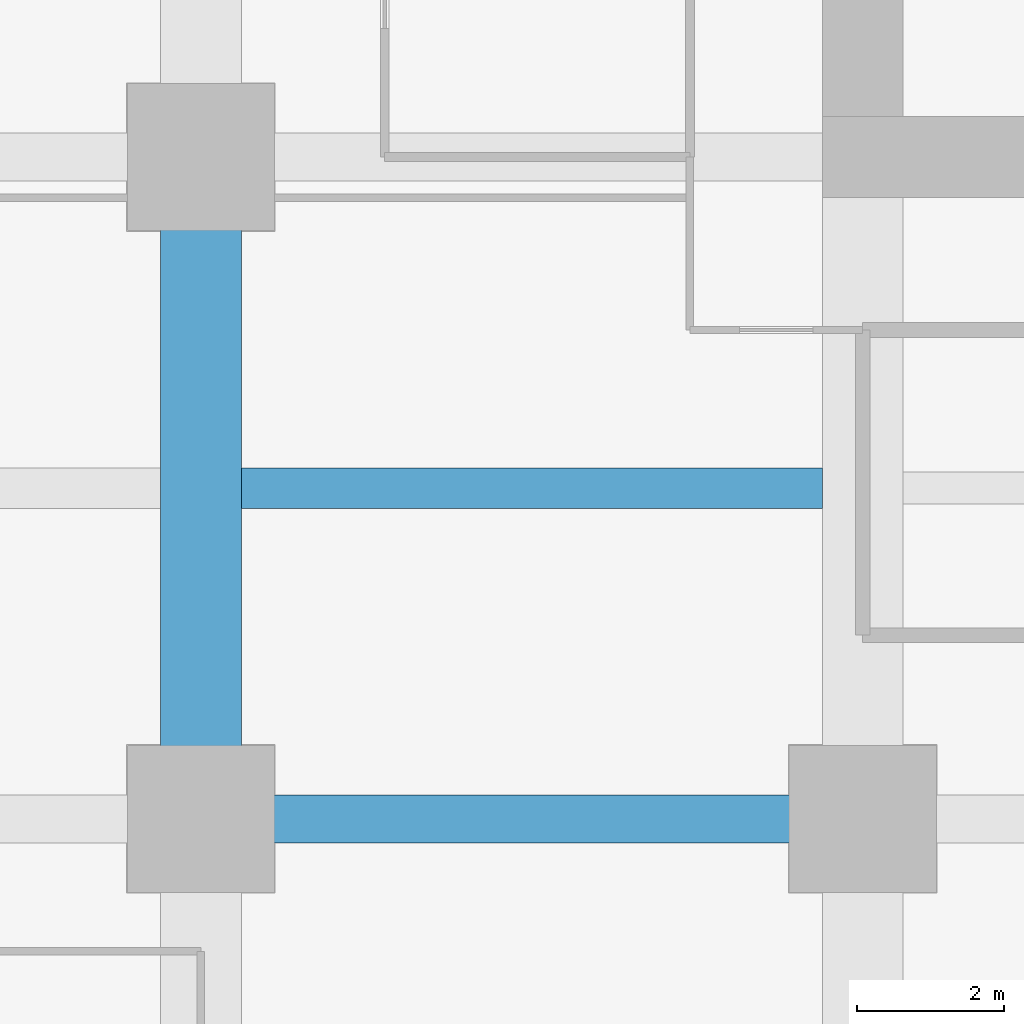
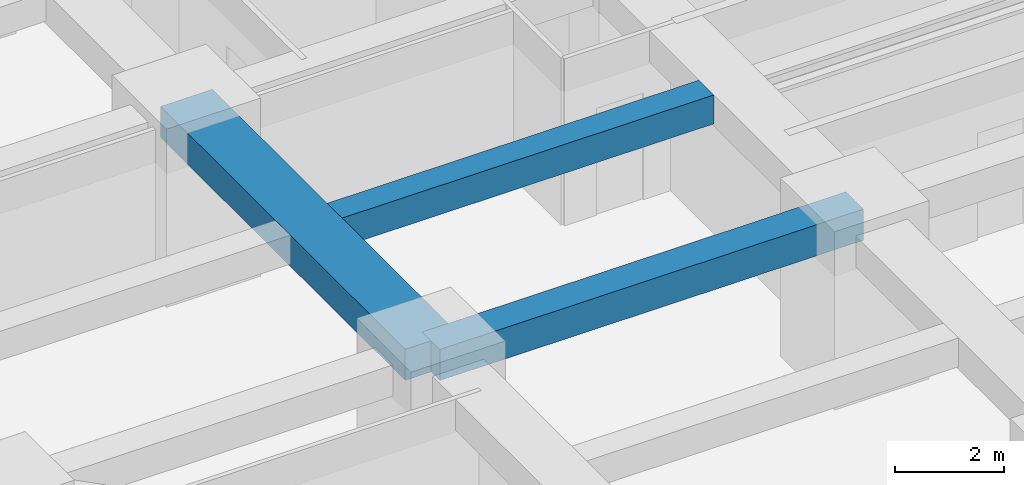
# One storey, part 5 of 40: 3 beams.
"""IFC4 building model written with IfcOpenShell, lengths in metres."""

import ifcopenshell
import ifcopenshell.guid

model = None  # the IFC model being written
_history = None  # IfcOwnerHistory: only IFC2X3 demands one
_inside = {}  # id of a spatial element -> (the spatial element, [elements in it])
_under = {}  # id of a project, library or spatial element -> (it, [spatial elements below it])
_declared = {}  # id of a project -> (the project, [libraries it declares])
_typed = {}  # id of a type object -> (the type object, [elements of that type])
_made_of = {}  # id of a material, layer set ... -> (it, [elements and type objects made of it])


def new_model(schema):
    """Start an empty IFC model of exactly this schema.

    Asked for "IFC4X3", IfcOpenShell would pick the latest addendum, in which some entities
    have other attributes; the version numbers below select the first issue.
    IFC2X3 requires an IfcOwnerHistory on every rooted entity: one is made here for all.
    """
    global model, _history
    if schema == "IFC4X3":
        model = ifcopenshell.file(schema_version=(4, 3, 0, 0))
    else:
        model = ifcopenshell.file(schema=schema)
    _inside.clear()
    _under.clear()
    _declared.clear()
    _typed.clear()
    _made_of.clear()
    _history = None
    if model.schema == "IFC2X3":
        org = make("IfcOrganization", Name="unknown")
        user = make(
            "IfcPersonAndOrganization",
            ThePerson=make("IfcPerson", FamilyName="unknown"),
            TheOrganization=org,
        )
        app = make(
            "IfcApplication",
            ApplicationDeveloper=org,
            Version="unknown",
            ApplicationFullName="unknown",
            ApplicationIdentifier="unknown",
        )
        _history = make(
            "IfcOwnerHistory",
            OwningUser=user,
            OwningApplication=app,
            ChangeAction="ADDED",
            CreationDate=0,
        )
    return model


def make(cls, **values):
    """One entity of the class cls with the attributes given. An attribute that is None is left unset."""
    return model.create_entity(
        cls, **{name: value for name, value in values.items() if value is not None}
    )


def rooted(cls, **values):
    """An entity with a GlobalId (a new one), such as an element, a storey or a relation."""
    return make(cls, GlobalId=ifcopenshell.guid.new(), OwnerHistory=_history, **values)


def si_unit(unit_type, name, prefix=None):
    """IfcSIUnit, for example si_unit("LENGTHUNIT", "METRE", prefix="MILLI")."""
    return make("IfcSIUnit", UnitType=unit_type, Prefix=prefix, Name=name)


def assignment(units):
    """IfcUnitAssignment: the units of a project."""
    return None if units is None else make("IfcUnitAssignment", Units=units)


def point(xyz):
    """IfcCartesianPoint."""
    return None if xyz is None else make("IfcCartesianPoint", Coordinates=xyz)


def direction(xyz):
    """IfcDirection."""
    return None if xyz is None else make("IfcDirection", DirectionRatios=xyz)


def frame(location, z_axis=None, x_axis=None):
    """IfcAxis2Placement3D, a coordinate frame: its origin and axes. An axis left out is left unset."""
    return make(
        "IfcAxis2Placement3D",
        Location=point(location),
        Axis=direction(z_axis),
        RefDirection=direction(x_axis),
    )


def frame_2d(location, x_axis=None):
    """IfcAxis2Placement2D, a coordinate frame in the plane: its origin and x axis."""
    return make(
        "IfcAxis2Placement2D", Location=point(location), RefDirection=direction(x_axis)
    )


def origin():
    """The frame at (0, 0, 0) with its axes left unset."""
    return frame((0.0, 0.0, 0.0))


def origin_2d():
    """The frame at (0, 0) in the plane with its x axis left unset."""
    return frame_2d((0.0, 0.0))


def place(relative_to, where):
    """IfcLocalPlacement: puts the frame where relative to a parent placement (None: the world)."""
    return make(
        "IfcLocalPlacement", PlacementRelTo=relative_to, RelativePlacement=where
    )


def context(
    kind, dimensions, precision=None, world=None, true_north=None, identifier=None
):
    """IfcGeometricRepresentationContext, for example the 3D "Model" context."""
    return make(
        "IfcGeometricRepresentationContext",
        ContextIdentifier=identifier,
        ContextType=kind,
        CoordinateSpaceDimension=dimensions,
        Precision=precision,
        WorldCoordinateSystem=world,
        TrueNorth=true_north,
    )


def subcontext(parent, identifier, kind, view, scale=None):
    """IfcGeometricRepresentationSubContext, for example "Body" below "Model"."""
    return make(
        "IfcGeometricRepresentationSubContext",
        ContextIdentifier=identifier,
        ContextType=kind,
        ParentContext=parent,
        TargetScale=scale,
        TargetView=view,
    )


def project(units=None, contexts=None):
    """IfcProject with its units and contexts."""
    return rooted(
        "IfcProject",
        Name="project",
        RepresentationContexts=contexts,
        UnitsInContext=assignment(units),
    )


def spatial(cls, under=None, at=None, **own):
    """A site, building, storey or space (cls), placed at a placement, below another one or the project."""
    s = rooted(cls, ObjectPlacement=at, **own)
    if under is not None:
        _under.setdefault(under.id(), (under, []))[1].append(s)
    return s


def profile(cls, at=None, kind="AREA", **sizes):
    """A parametric profile (cls). Its sizes go by their IFC names, for example OverallWidth=200.0."""
    return make(cls, ProfileType=kind, Position=at, **sizes)


def rectangle(**sizes):
    """IfcRectangleProfileDef."""
    return profile("IfcRectangleProfileDef", **sizes)


def extrude(swept, where, along, depth):
    """IfcExtrudedAreaSolid: the profile swept, set in the frame where, extruded along a direction by depth."""
    return make(
        "IfcExtrudedAreaSolid",
        SweptArea=swept,
        Position=where,
        ExtrudedDirection=direction(along),
        Depth=depth,
    )


def shape(context_of_items, identifier, shape_type, items):
    """IfcShapeRepresentation: the items that make up one representation, for example the "Body"."""
    return make(
        "IfcShapeRepresentation",
        ContextOfItems=context_of_items,
        RepresentationIdentifier=identifier,
        RepresentationType=shape_type,
        Items=items,
    )


def material(Name=None, Category=None):
    """IfcMaterial."""
    return make("IfcMaterial", Name=Name, Category=Category)


def material_profile(
    of_material, cross_section, Name=None, Category=None, Priority=None
):
    """IfcMaterialProfile: a cross section and its material."""
    return make(
        "IfcMaterialProfile",
        Name=Name,
        Material=of_material,
        Profile=cross_section,
        Priority=Priority,
        Category=Category,
    )


def profile_set(profiles, Name=None, composite=None):
    """IfcMaterialProfileSet."""
    return make(
        "IfcMaterialProfileSet",
        Name=Name,
        MaterialProfiles=profiles,
        CompositeProfile=composite,
    )


def made_of(thing, what):
    """Note that an element or type object is made of a material, layer set ...; save() writes the relation."""
    if what is not None:
        _made_of.setdefault(what.id(), (what, []))[1].append(thing)
    return thing


def type_object(cls, material=None, **own):
    """A type object (cls), such as IfcWallType, which elements share."""
    return made_of(rooted(cls, **own), material)


def element(
    cls,
    number,
    at=None,
    inside=None,
    cuts=None,
    type_object=None,
    material=None,
    context=None,
    identifier="Body",
    shape_type=None,
    held_by="IfcProductDefinitionShape",
    body=None,
    shapes=None,
    **own,
):
    """One element of the class cls, such as IfcWall. Its Tag is "e" and its number.

    at: its placement. inside: the storey or other place that contains it. cuts: it is an
    opening in that element (IfcRelVoidsElement). A single representation is given by context,
    identifier, shape_type and body (its items); several are given by shapes. held_by: the class
    of the entity that holds the representations. save() writes the other relations.
    """
    e = rooted(cls, Tag="e%d" % number, ObjectPlacement=at, **own)
    if body is not None:
        shapes = [shape(context, identifier, shape_type, body)]
    if shapes is not None:
        e.Representation = make(held_by, Representations=shapes)
    if inside is not None:
        _inside.setdefault(inside.id(), (inside, []))[1].append(e)
    if cuts is not None:
        rooted(
            "IfcRelVoidsElement", RelatingBuildingElement=cuts, RelatedOpeningElement=e
        )
    if type_object is not None:
        _typed.setdefault(type_object.id(), (type_object, []))[1].append(e)
    return made_of(e, material)


def aggregate(whole, parts):
    """IfcRelAggregates: a whole, such as a stair, and the parts it consists of."""
    return rooted("IfcRelAggregates", RelatingObject=whole, RelatedObjects=parts)


def save(model, path):
    """Write the relations noted so far, then the file.

    IfcRelAggregates (storeys below a building ...), IfcRelContainedInSpatialStructure (elements
    in a storey), IfcRelDefinesByType, IfcRelAssociatesMaterial and IfcRelDeclares: one each for
    every whole, place, type object, material and project.
    """
    for whole, parts in _under.values():
        aggregate(whole, parts)
    for where, things in _inside.values():
        rooted(
            "IfcRelContainedInSpatialStructure",
            RelatedElements=things,
            RelatingStructure=where,
        )
    for kind, things in _typed.values():
        rooted("IfcRelDefinesByType", RelatedObjects=things, RelatingType=kind)
    for what, things in _made_of.values():
        rooted("IfcRelAssociatesMaterial", RelatedObjects=things, RelatingMaterial=what)
    for by, libraries in _declared.values():
        rooted("IfcRelDeclares", RelatingContext=by, RelatedDefinitions=libraries)
    model.write(path)


model = new_model("IFC4")

# Units and contexts
model_context = context("Model", 3, precision=1e-05, world=origin(), true_north=direction((0.0, 1.0)))
body_context = subcontext(model_context, "Body", "Model", "MODEL_VIEW")
ifc_project = project(units=[si_unit("LENGTHUNIT", "METRE"), si_unit("AREAUNIT", "SQUARE_METRE"), si_unit("VOLUMEUNIT", "CUBIC_METRE"), si_unit("PLANEANGLEUNIT", "RADIAN"), si_unit("MASSUNIT", "GRAM", prefix="KILO")], contexts=[model_context])

# Site, building, storey
site_placement = place(None, origin())
site = spatial("IfcSite", under=ifc_project, at=site_placement, CompositionType="ELEMENT")
building_placement = place(site_placement, origin())
building = spatial("IfcBuilding", under=site, at=building_placement, Name="Zorevar Civic Tower", CompositionType="ELEMENT")
storey_placement = place(building_placement, frame((0.0, 0.0, 93.0)))
storey = spatial("IfcBuildingStorey", under=building, at=storey_placement, Name="L22", CompositionType="ELEMENT", Elevation=93.0)

# Beams
ifc_material_1 = material(Name="Concrete C50/60", Category="concrete")
ifc_material_profile_1 = material_profile(ifc_material_1, rectangle(XDim=1.10009765625, YDim=0.699951171875, at=origin_2d()), Name="RC 1100x700")
ifc_profile_set_1 = profile_set([ifc_material_profile_1], Name="Concrete C50/60")
beam_type_1 = type_object("IfcBeamType", Name="Beam RC 1100x700", PredefinedType="BEAM", material=ifc_profile_set_1)
beam_1_placement = place(storey_placement, frame((9.0, 9.0, 3.39990234375), z_axis=(0.0, 1.0, 0.0), x_axis=(-1.0, 0.0, 0.0)))
element("IfcBeam", 1, at=beam_1_placement, inside=storey, type_object=beam_type_1, Name="Girder L23", PredefinedType="BEAM", context=body_context, shape_type="SweptSolid", body=[
    extrude(rectangle(XDim=1.10009765625, YDim=0.699951171875, at=origin_2d()), origin(), (0.0, 0.0, 1.0), 9.0),
])
ifc_material_2 = material(Name="Concrete C50/60", Category="concrete")
ifc_material_profile_2 = material_profile(ifc_material_2, rectangle(XDim=0.550048828125, YDim=0.64990234375, at=origin_2d()), Name="RC 550x650")
ifc_profile_set_2 = profile_set([ifc_material_profile_2], Name="Concrete C50/60")
beam_type_2 = type_object("IfcBeamType", Name="Beam RC 550x650", PredefinedType="BEAM", material=ifc_profile_set_2)
beam_2_placement = place(storey_placement, frame((9.550048828125, 13.5, 3.425048828125), z_axis=(1.0, 0.0, 0.0), x_axis=(0.0, 1.0, 0.0)))
element("IfcBeam", 2, at=beam_2_placement, inside=storey, type_object=beam_type_2, Name="Secondary beam L23", PredefinedType="BEAM", context=body_context, shape_type="SweptSolid", body=[
    extrude(rectangle(XDim=0.550048828125, YDim=0.64990234375, at=origin_2d()), origin(), (0.0, 0.0, 1.0), 7.89990234375),
])
ifc_material_3 = material(Name="Concrete C50/60", Category="concrete")
ifc_material_profile_3 = material_profile(ifc_material_3, rectangle(XDim=0.64990234375, YDim=0.699951171875, at=origin_2d()), Name="RC 650x700")
ifc_profile_set_3 = profile_set([ifc_material_profile_3], Name="Concrete C50/60")
beam_type_3 = type_object("IfcBeamType", Name="Beam RC 650x700", PredefinedType="BEAM", material=ifc_profile_set_3)
beam_3_placement = place(storey_placement, frame((9.0, 9.0, 3.39990234375), z_axis=(1.0, 0.0, 0.0), x_axis=(0.0, 1.0, 0.0)))
element("IfcBeam", 3, at=beam_3_placement, inside=storey, type_object=beam_type_3, Name="Girder L23", PredefinedType="BEAM", context=body_context, shape_type="SweptSolid", body=[
    extrude(rectangle(XDim=0.64990234375, YDim=0.699951171875, at=origin_2d()), origin(), (0.0, 0.0, 1.0), 9.0),
])

save(model, "model.ifc")
